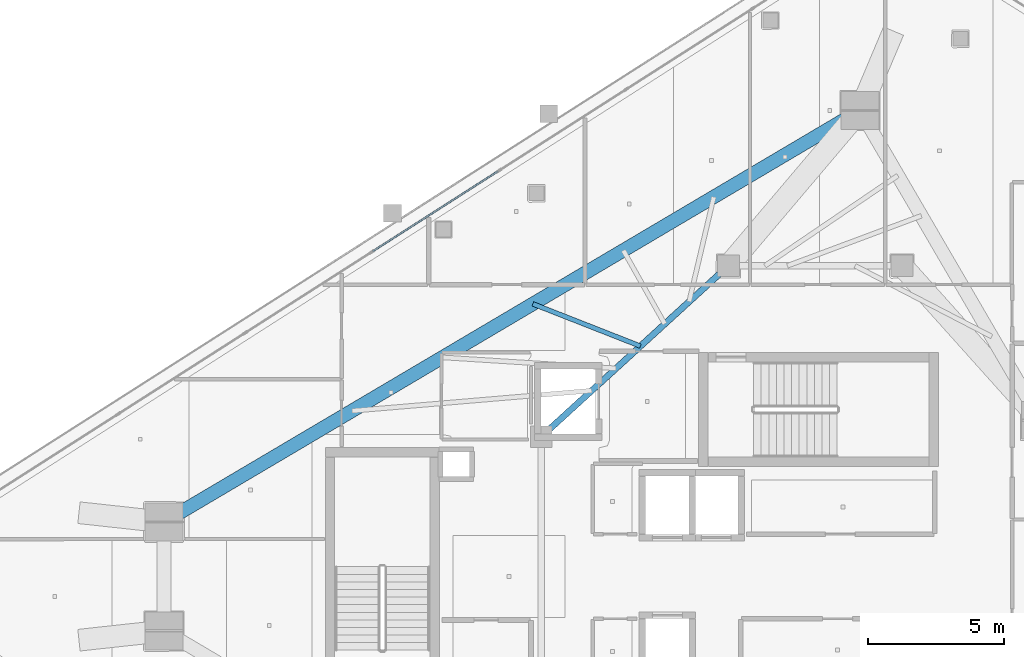
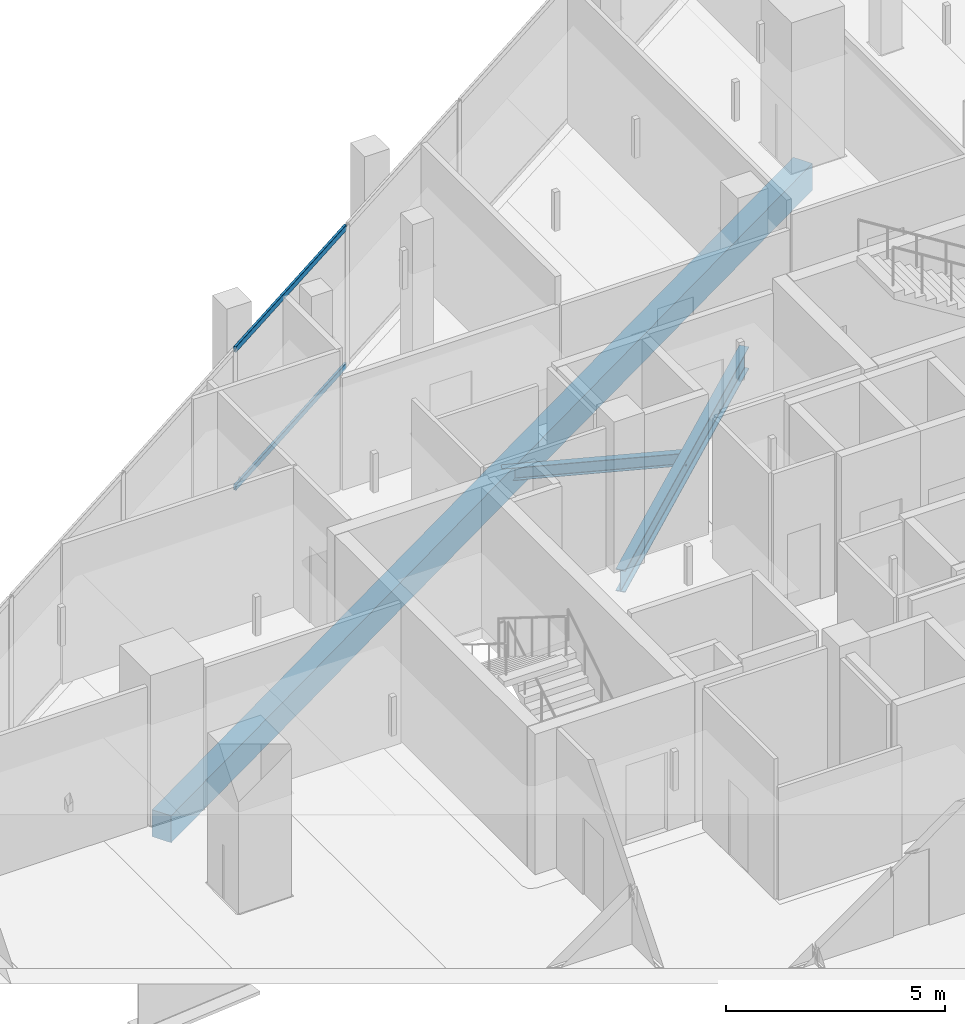
# One storey, part 13 of 29: 3 beams, 2 members, 1 element without a shape of its own.
"""IFC4 building model written with IfcOpenShell, lengths in metres."""

from ifc_helpers import new_model, si_unit, direction, frame, origin, origin_2d, place, context, subcontext, project, spatial, rectangle, hollow_rectangle, i_section, extrude, material, layer, layer_set, material_profile, profile_set, type_object, element, aggregate, save


model = new_model("IFC4")

# Units and contexts
model_context = context("Model", 3, precision=1e-05, world=origin(), true_north=direction((0.0, 1.0)))
body_context = subcontext(model_context, "Body", "Model", "MODEL_VIEW")
ifc_project = project(units=[si_unit("LENGTHUNIT", "METRE"), si_unit("AREAUNIT", "SQUARE_METRE"), si_unit("VOLUMEUNIT", "CUBIC_METRE"), si_unit("PLANEANGLEUNIT", "RADIAN"), si_unit("MASSUNIT", "GRAM", prefix="KILO")], contexts=[model_context])

# Site, building, storey
site_placement = place(None, origin())
site = spatial("IfcSite", under=ifc_project, at=site_placement, CompositionType="ELEMENT")
building_placement = place(site_placement, origin())
building = spatial("IfcBuilding", under=site, at=building_placement, Name="Qorvath Tower", CompositionType="ELEMENT")
storey_placement = place(building_placement, frame((0.0, 0.0, 285.0)))
storey = spatial("IfcBuildingStorey", under=building, at=storey_placement, Name="L66", CompositionType="ELEMENT", Elevation=285.0)

# Beams
ifc_material_1 = material(Name="Steel ASTM A992 Grade 50", Category="steel")
ifc_material_profile_1 = material_profile(ifc_material_1, i_section(OverallWidth=0.22998046875, OverallDepth=0.616943359375, WebThickness=0.01318359375, FlangeThickness=0.022216796875, FilletRadius=0.014892578125, at=origin_2d()), Name="W24x94")
ifc_profile_set_1 = profile_set([ifc_material_profile_1], Name="Steel ASTM A992 Grade 50")
beam_type_1 = type_object("IfcBeamType", Name="BM-FG6", PredefinedType="BEAM", material=ifc_profile_set_1)
beam_1_placement = place(storey_placement, frame((-30.5, 5.14990234375, -0.598388671875), z_axis=(0.73847813985, 0.6742774184, 0.0), x_axis=(-0.6742774184, 0.73847813985, 0.0)))
element("IfcBeam", 1, at=beam_1_placement, inside=storey, type_object=beam_type_1, Name="Core Ring Girder CC5-CC1 L66", PredefinedType="BEAM", context=body_context, shape_type="SweptSolid", body=[
    extrude(i_section(OverallWidth=0.22998046875, OverallDepth=0.616943359375, WebThickness=0.01318359375, FlangeThickness=0.022216796875, FilletRadius=0.014892578125, at=origin_2d()), origin(), (0.0, 0.0, 1.0), 9.343505859375),
])
ifc_material_2 = material(Name="Steel ASTM A992 Grade 50", Category="steel")
ifc_material_profile_2 = material_profile(ifc_material_2, i_section(OverallWidth=0.1708984375, OverallDepth=0.35107421875, WebThickness=0.0068359375, FlangeThickness=0.009765625, FilletRadius=0.010009765625, at=origin_2d()), Name="W14x30")
ifc_profile_set_2 = profile_set([ifc_material_profile_2], Name="Steel ASTM A992 Grade 50")
beam_type_2 = type_object("IfcBeamType", Name="BM-FJ4", PredefinedType="JOIST", material=ifc_profile_set_2)
beam_2_placement = place(storey_placement, frame((-26.843017578125, 8.489013671875, -0.465576171875), z_axis=(-0.930720832638, 0.365730408489, 0.0), x_axis=(-0.365730408489, -0.930720832638, 0.0)))
element("IfcBeam", 2, at=beam_2_placement, inside=storey, type_object=beam_type_2, Name="Composite Floor Joist NW4 L66", PredefinedType="JOIST", context=body_context, shape_type="SweptSolid", body=[
    extrude(i_section(OverallWidth=0.1708984375, OverallDepth=0.35107421875, WebThickness=0.0068359375, FlangeThickness=0.009765625, FilletRadius=0.010009765625, at=origin_2d()), origin(), (0.0, 0.0, 1.0), 4.259033203125),
])
ifc_material_3 = material(Name="Concrete C45/55", Category="concrete")
ifc_material_profile_3 = material_profile(ifc_material_3, rectangle(XDim=0.5, YDim=0.75, at=origin_2d()), Name="RCB 750x500")
ifc_profile_set_3 = profile_set([ifc_material_profile_3], Name="Concrete C45/55")
beam_type_3 = type_object("IfcBeamType", Name="BM-RCB3", PredefinedType="SPANDREL", material=ifc_profile_set_3)
beam_3_placement = place(storey_placement, frame((-18.75048828125, 17.175537109375, -0.6650390625), z_axis=(-0.860780849348, -0.508975765038, 0.0), x_axis=(0.508975765038, -0.860780849348, 0.0)))
element("IfcBeam", 3, at=beam_3_placement, inside=storey, type_object=beam_type_3, Name="Perimeter Loggia Frame Beam MC6-MC1 L66", PredefinedType="SPANDREL", context=body_context, shape_type="SweptSolid", body=[
    extrude(rectangle(XDim=0.5, YDim=0.75, at=origin_2d()), origin(), (0.0, 0.0, 1.0), 29.801025390625),
])

# Curtain wall, members
ifc_material_4 = material(Name="Anodised aluminium and triple low-E glass", Category="aluminium")
ifc_layer = layer(ifc_material_4, 0.179931640625)
ifc_layer_set = layer_set([ifc_layer], Name="CW-SYS-4")
curtain_wall_type = type_object("IfcCurtainWallType", Name="CW-SYS-4", PredefinedType="NOTDEFINED", material=ifc_layer_set)
curtain_wall_placement = place(storey_placement, origin())
curtain_wall = element("IfcCurtainWall", 4, at=curtain_wall_placement, inside=storey, type_object=curtain_wall_type, Name="Curtain Wall CW-4 CW-T-L66-16.1", PredefinedType="NOTDEFINED")
ifc_material_5 = material(Name="Anodised aluminium 6063-T6", Category="aluminium")
ifc_material_profile_4 = material_profile(ifc_material_5, hollow_rectangle(XDim=0.06494140625, YDim=0.159912109375, WallThickness=0.00341796875, InnerFilletRadius=0.00341796875, OuterFilletRadius=0.007080078125, at=origin_2d()), Name="CWT 160x65")
ifc_profile_set_4 = profile_set([ifc_material_profile_4], Name="Anodised aluminium 6063-T6")
member_type = type_object("IfcMemberType", Name="CWT-160", PredefinedType="USERDEFINED", material=ifc_profile_set_4)
member_1_placement = place(storey_placement, frame((-32.094970703125, 14.935302734375, 0.032470703125), z_axis=(-0.842615950321, -0.538514958256, 0.0), x_axis=(0.538514958256, -0.842615950321, 0.0)))
member_1 = element("IfcMember", 5, at=member_1_placement, type_object=member_type, Name="CW-4 transom 4.1", ObjectType="TRANSOM", PredefinedType="USERDEFINED", context=body_context, shape_type="SweptSolid", body=[
    extrude(hollow_rectangle(XDim=0.06494140625, YDim=0.159912109375, WallThickness=0.00341796875, InnerFilletRadius=0.00341796875, OuterFilletRadius=0.007080078125, at=origin_2d()), origin(), (0.0, 0.0, 1.0), 5.479248046875),
])
member_2_placement = place(storey_placement, frame((-32.094970703125, 14.935302734375, 3.87744140625), z_axis=(-0.842615950321, -0.538514958256, 0.0), x_axis=(0.538514958256, -0.842615950321, 0.0)))
member_2 = element("IfcMember", 6, at=member_2_placement, type_object=member_type, Name="CW-4 transom 4.2", ObjectType="TRANSOM", PredefinedType="USERDEFINED", context=body_context, shape_type="SweptSolid", body=[
    extrude(hollow_rectangle(XDim=0.06494140625, YDim=0.159912109375, WallThickness=0.00341796875, InnerFilletRadius=0.00341796875, OuterFilletRadius=0.007080078125, at=origin_2d()), origin(), (0.0, 0.0, 1.0), 5.479248046875),
])
aggregate(curtain_wall, [member_1, member_2])

save(model, "model.ifc")
